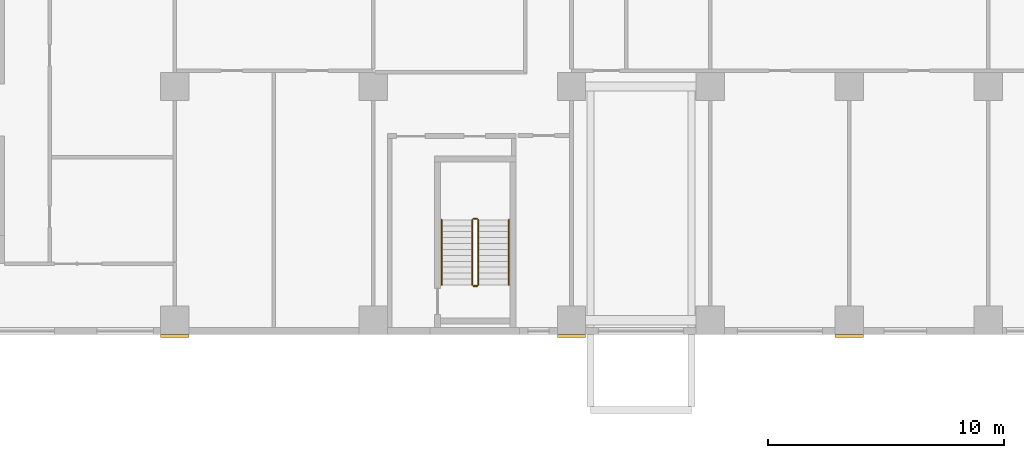
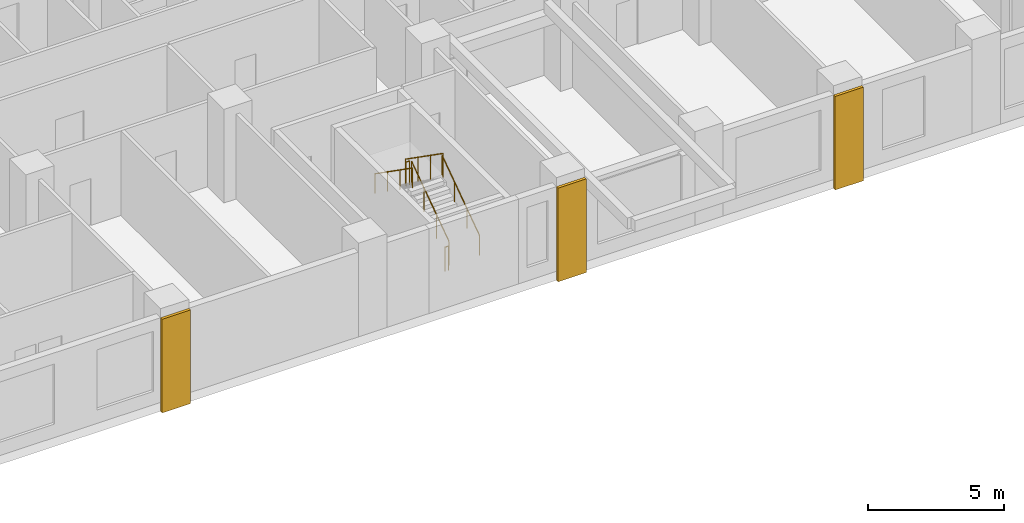
# One storey, part 11 of 14: 6 railings, 3 coverings.
"""IFC4 building model written with IfcOpenShell, lengths in metres."""

from ifc_helpers import new_model, si_unit, direction, frame, origin, origin_2d, place, context, subcontext, project, spatial, rectangle, circle, extrude, source, transform, mapped, material, type_object, element, save


model = new_model("IFC4")

# Units and contexts
model_context = context("Model", 3, precision=1e-05, world=origin(), true_north=direction((0.0, 1.0)))
body_context = subcontext(model_context, "Body", "Model", "MODEL_VIEW")
ifc_project = project(units=[si_unit("LENGTHUNIT", "METRE"), si_unit("AREAUNIT", "SQUARE_METRE"), si_unit("VOLUMEUNIT", "CUBIC_METRE"), si_unit("PLANEANGLEUNIT", "RADIAN"), si_unit("MASSUNIT", "GRAM", prefix="KILO")], contexts=[model_context])

# Site, building, storey
site_placement = place(None, origin())
site = spatial("IfcSite", under=ifc_project, at=site_placement, CompositionType="ELEMENT")
building_placement = place(site_placement, origin())
building = spatial("IfcBuilding", under=site, at=building_placement, Name="Aurelian Terraces", CompositionType="ELEMENT")
storey_placement = place(building_placement, frame((0.0, 0.0, 40.5)))
storey = spatial("IfcBuildingStorey", under=building, at=storey_placement, Name="L07", CompositionType="ELEMENT", Elevation=40.5)

# Coverings
ifc_material_1 = material(Name="Terracotta rainscreen cladding relief", Category="masonry")
covering_type = type_object("IfcCoveringType", Name="BAGUETTE-TC", PredefinedType="CLADDING", material=ifc_material_1)
shared_shape_1 = source(origin(), body_context, "Body", "SweptSolid", [
    extrude(rectangle(XDim=1.2, YDim=0.12, at=origin_2d()), origin(), (0.0, 0.0, 1.0), 4.2),
])
for number, where, z_axis, x_axis, name in (
    (1, (29.4, -0.06, -0.4), (0.0, 0.0, 1.0), (1.0, 0.0, 0.0), "BAGUETTE pier L07 2"),
    (2, (46.2, -0.06, -0.4), (0.0, 0.0, 1.0), (1.0, 0.0, 0.0), "BAGUETTE pier L07 3"),
    (3, (57.96, -0.06, -0.4), (0.0, 0.0, 1.0), (1.0, 0.0, 0.0), "BAGUETTE pier L07 4"),
):
    element("IfcCovering", number, at=place(storey_placement, frame(where, z_axis=z_axis, x_axis=x_axis)), inside=storey, type_object=covering_type, Name=name, PredefinedType="CLADDING", context=body_context, shape_type="MappedRepresentation", body=[
        mapped(shared_shape_1, transform((0.0, 0.0, 0.0), scale=1.0)),
    ])

# Railings
ifc_material_2 = material(Name="Stainless steel", Category="steel")
railing_type_1 = type_object("IfcRailingType", Name="Stair guard 1100", PredefinedType="GUARDRAIL", material=ifc_material_2)
shared_shape_2 = source(origin(), body_context, "Body", "SweptSolid", [
    extrude(circle(Radius=0.024, at=origin_2d()), frame((0.0, 0.0, 1.076), z_axis=(-1.0, 0.0, 0.0), x_axis=(0.0, -1.0, 0.0)), (0.0, 0.0, 1.0), 0.15),
    extrude(circle(Radius=0.021, at=origin_2d()), origin(), (0.0, 0.0, 1.0), 1.052),
    extrude(circle(Radius=0.021, at=origin_2d()), frame((-0.15, 0.0, 0.0)), (0.0, 0.0, 1.0), 1.052),
])
for number, where, name in (
    (4, (42.2, 4.9, 2.1), "L07 S2 stair guard 2"),
    (5, (42.2, 2.05, 0.0), "L07 S2 stair guard 4"),
):
    element("IfcRailing", number, at=place(storey_placement, frame(where)), inside=storey, type_object=railing_type_1, Name=name, PredefinedType="GUARDRAIL", context=body_context, shape_type="MappedRepresentation", body=[
        mapped(shared_shape_2, transform((0.0, 0.0, 0.0), scale=1.0)),
    ])
shared_shape_3 = source(origin(), body_context, "Body", "SweptSolid", [
    extrude(circle(Radius=0.024, at=origin_2d()), frame((0.0, 0.0, 1.076), z_axis=(0.0, 0.819231920519, 0.573462344363), x_axis=(-1.0, 0.0, 0.0)), (0.0, 0.0, 1.0), 3.3568),
    extrude(circle(Radius=0.021, at=origin_2d()), origin(), (0.0, 0.0, 1.0), 1.052),
    extrude(circle(Radius=0.021, at=origin_2d()), frame((0.0, 0.9167, 0.6417)), (0.0, 0.0, 1.0), 1.052),
    extrude(circle(Radius=0.021, at=origin_2d()), frame((0.0, 1.8333, 1.2833)), (0.0, 0.0, 1.0), 1.052),
    extrude(circle(Radius=0.021, at=origin_2d()), frame((0.0, 2.75, 1.925)), (0.0, 0.0, 1.0), 1.052),
])
railing_1_placement = place(storey_placement, frame((42.25, 2.1, 0.175)))
element("IfcRailing", 6, at=railing_1_placement, inside=storey, type_object=railing_type_1, Name="L07 S2 stair guard 1", PredefinedType="GUARDRAIL", context=body_context, shape_type="MappedRepresentation", body=[
    mapped(shared_shape_3, transform((0.0, 0.0, 0.0), scale=1.0)),
])
shared_shape_4 = source(origin(), body_context, "Body", "SweptSolid", [
    extrude(circle(Radius=0.024, at=origin_2d()), frame((0.0, 0.0, 1.076), z_axis=(0.0, -0.819231920519, 0.573462344363), x_axis=(1.0, 0.0, 0.0)), (0.0, 0.0, 1.0), 3.3568),
    extrude(circle(Radius=0.021, at=origin_2d()), origin(), (0.0, 0.0, 1.0), 1.052),
    extrude(circle(Radius=0.021, at=origin_2d()), frame((0.0, -0.9167, 0.6417)), (0.0, 0.0, 1.0), 1.052),
    extrude(circle(Radius=0.021, at=origin_2d()), frame((0.0, -1.8333, 1.2833)), (0.0, 0.0, 1.0), 1.052),
    extrude(circle(Radius=0.021, at=origin_2d()), frame((0.0, -2.75, 1.925)), (0.0, 0.0, 1.0), 1.052),
])
railing_2_placement = place(storey_placement, frame((42.0, 4.85, 2.275)))
element("IfcRailing", 7, at=railing_2_placement, inside=storey, type_object=railing_type_1, Name="L07 S2 stair guard 3", PredefinedType="GUARDRAIL", context=body_context, shape_type="MappedRepresentation", body=[
    mapped(shared_shape_4, transform((0.0, 0.0, 0.0), scale=1.0)),
])
railing_type_2 = type_object("IfcRailingType", Name="Stair handrail", PredefinedType="HANDRAIL", material=ifc_material_2)
shared_shape_5 = source(origin(), body_context, "Body", "SweptSolid", [
    extrude(circle(Radius=0.024, at=origin_2d()), frame((0.0, 0.0, 0.876), z_axis=(0.0, 0.819231920519, 0.573462344363), x_axis=(-1.0, 0.0, 0.0)), (0.0, 0.0, 1.0), 3.3568),
    extrude(circle(Radius=0.021, at=origin_2d()), origin(), (0.0, 0.0, 1.0), 0.852),
    extrude(circle(Radius=0.021, at=origin_2d()), frame((0.0, 0.9167, 0.6417)), (0.0, 0.0, 1.0), 0.852),
    extrude(circle(Radius=0.021, at=origin_2d()), frame((0.0, 1.8333, 1.2833)), (0.0, 0.0, 1.0), 0.852),
    extrude(circle(Radius=0.021, at=origin_2d()), frame((0.0, 2.75, 1.925)), (0.0, 0.0, 1.0), 0.852),
])
railing_3_placement = place(storey_placement, frame((43.55, 2.1, 0.175)))
element("IfcRailing", 8, at=railing_3_placement, inside=storey, type_object=railing_type_2, Name="L07 S2 stair handrail 1", PredefinedType="HANDRAIL", context=body_context, shape_type="MappedRepresentation", body=[
    mapped(shared_shape_5, transform((0.0, 0.0, 0.0), scale=1.0)),
])
shared_shape_6 = source(origin(), body_context, "Body", "SweptSolid", [
    extrude(circle(Radius=0.024, at=origin_2d()), frame((0.0, 0.0, 0.876), z_axis=(0.0, -0.819231920519, 0.573462344363), x_axis=(1.0, 0.0, 0.0)), (0.0, 0.0, 1.0), 3.3568),
    extrude(circle(Radius=0.021, at=origin_2d()), origin(), (0.0, 0.0, 1.0), 0.852),
    extrude(circle(Radius=0.021, at=origin_2d()), frame((0.0, -0.9167, 0.6417)), (0.0, 0.0, 1.0), 0.852),
    extrude(circle(Radius=0.021, at=origin_2d()), frame((0.0, -1.8333, 1.2833)), (0.0, 0.0, 1.0), 0.852),
    extrude(circle(Radius=0.021, at=origin_2d()), frame((0.0, -2.75, 1.925)), (0.0, 0.0, 1.0), 0.852),
])
railing_4_placement = place(storey_placement, frame((40.7, 4.85, 2.275)))
element("IfcRailing", 9, at=railing_4_placement, inside=storey, type_object=railing_type_2, Name="L07 S2 stair handrail 2", PredefinedType="HANDRAIL", context=body_context, shape_type="MappedRepresentation", body=[
    mapped(shared_shape_6, transform((0.0, 0.0, 0.0), scale=1.0)),
])

save(model, "model.ifc")
